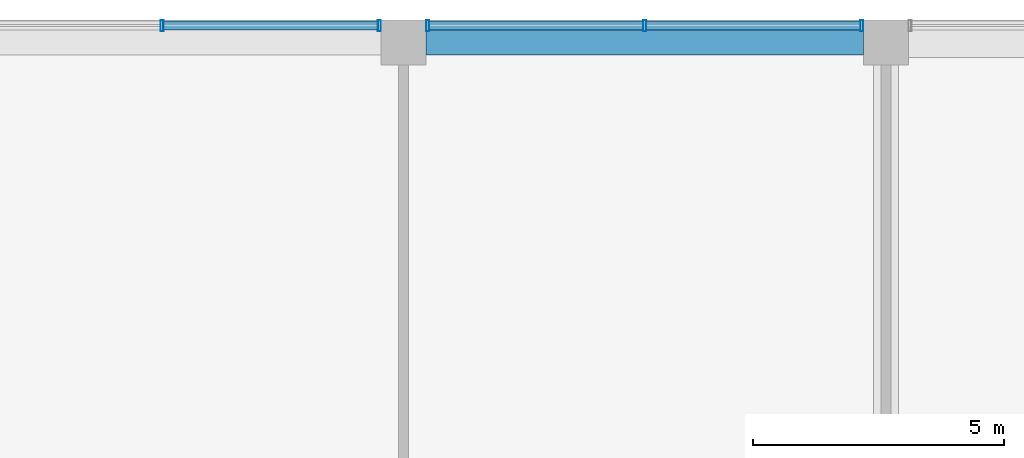
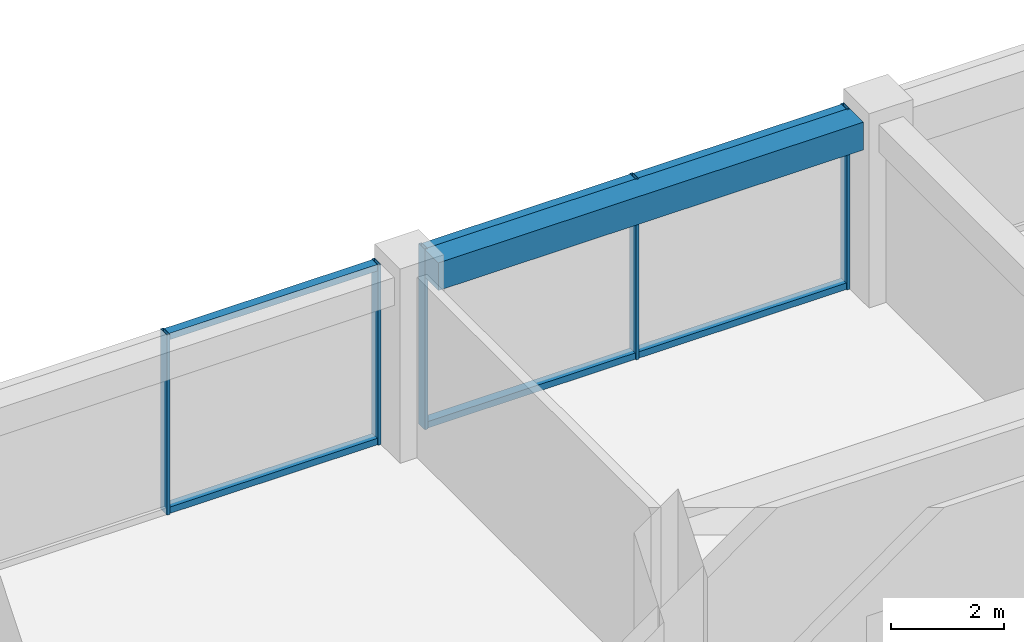
# One storey, part 24 of 38: 11 members, 1 beam, 2 elements without a shape of their own.
"""IFC4 building model written with IfcOpenShell, lengths in metres."""

from ifc_helpers import new_model, si_unit, direction, frame, origin, origin_2d, place, context, subcontext, project, spatial, rectangle, hollow_rectangle, extrude, material, layer, layer_set, material_profile, profile_set, type_object, element, aggregate, save


model = new_model("IFC4")

# Units and contexts
model_context = context("Model", 3, precision=1e-05, world=origin(), true_north=direction((0.0, 1.0)))
body_context = subcontext(model_context, "Body", "Model", "MODEL_VIEW")
ifc_project = project(units=[si_unit("LENGTHUNIT", "METRE"), si_unit("AREAUNIT", "SQUARE_METRE"), si_unit("VOLUMEUNIT", "CUBIC_METRE"), si_unit("PLANEANGLEUNIT", "RADIAN"), si_unit("MASSUNIT", "GRAM", prefix="KILO")], contexts=[model_context])

# Site, building, storey
site_placement = place(None, origin())
site = spatial("IfcSite", under=ifc_project, at=site_placement, CompositionType="ELEMENT")
building_placement = place(site_placement, origin())
building = spatial("IfcBuilding", under=site, at=building_placement, Name="Nzadi Deep Aquarium and Research Tower", CompositionType="ELEMENT")
storey_placement = place(building_placement, frame((0.0, 0.0, 52.89990234375)))
storey = spatial("IfcBuildingStorey", under=building, at=storey_placement, Name="L10", CompositionType="ELEMENT", Elevation=52.89990234375)

# Curtain wall, members
ifc_material_1 = material(Name="Aluminium unitised frame deep", Category="aluminium")
ifc_layer = layer(ifc_material_1, 0.22509765625)
ifc_layer_set = layer_set([ifc_layer], Name="Aluminium unitised frame deep")
curtain_wall_type = type_object("IfcCurtainWallType", Name="Curtain wall Unitised Deep 225", PredefinedType="NOTDEFINED", material=ifc_layer_set)
curtain_wall_1_placement = place(storey_placement, origin())
curtain_wall_1 = element("IfcCurtainWall", 1, at=curtain_wall_1_placement, inside=storey, type_object=curtain_wall_type, Name="Unitised curtain wall blade B north L10", PredefinedType="NOTDEFINED")
ifc_material_2 = material(Name="Aluminium unitised frame deep", Category="aluminium")
ifc_material_profile_1 = material_profile(ifc_material_2, hollow_rectangle(XDim=0.22509765625, YDim=0.06005859375, WallThickness=0.0048828125, at=origin_2d()))
ifc_profile_set_1 = profile_set([ifc_material_profile_1], Name="Aluminium unitised frame deep")
member_type_1 = type_object("IfcMemberType", Name="Mullion 60x225 Unitised Deep", PredefinedType="MULLION", material=ifc_profile_set_1)
member_1_placement = place(storey_placement, frame((33.60009765625, 46.33740234375, 0.0), z_axis=(0.0, 0.0, 1.0), x_axis=(0.0, 1.0, 0.0)))
member_1 = element("IfcMember", 2, at=member_1_placement, type_object=member_type_1, Name="CW137 mullion 2", PredefinedType="MULLION", context=body_context, shape_type="SweptSolid", body=[
    extrude(hollow_rectangle(XDim=0.22509765625, YDim=0.06005859375, WallThickness=0.0048828125, at=origin_2d()), origin(), (0.0, 0.0, 1.0), 3.900146484375),
])
member_2_placement = place(storey_placement, frame((37.919921875, 46.33740234375, 0.0), z_axis=(0.0, 0.0, 1.0), x_axis=(0.0, 1.0, 0.0)))
member_2 = element("IfcMember", 3, at=member_2_placement, type_object=member_type_1, Name="CW137 mullion 3", PredefinedType="MULLION", context=body_context, shape_type="SweptSolid", body=[
    extrude(hollow_rectangle(XDim=0.22509765625, YDim=0.06005859375, WallThickness=0.0048828125, at=origin_2d()), origin(), (0.0, 0.0, 1.0), 3.900146484375),
])

curtain_wall_2_placement = place(storey_placement, origin())
curtain_wall_2 = element("IfcCurtainWall", 4, at=curtain_wall_2_placement, inside=storey, type_object=curtain_wall_type, Name="Unitised curtain wall blade B north L10", PredefinedType="NOTDEFINED")
member_3_placement = place(storey_placement, frame((38.8798828125, 46.33740234375, 0.0), z_axis=(0.0, 0.0, 1.0), x_axis=(0.0, 1.0, 0.0)))
member_3 = element("IfcMember", 5, at=member_3_placement, type_object=member_type_1, Name="CW138 mullion 1", PredefinedType="MULLION", context=body_context, shape_type="SweptSolid", body=[
    extrude(hollow_rectangle(XDim=0.22509765625, YDim=0.06005859375, WallThickness=0.0048828125, at=origin_2d()), origin(), (0.0, 0.0, 1.0), 3.900146484375),
])
member_4_placement = place(storey_placement, frame((43.199951171875, 46.33740234375, 0.0), z_axis=(0.0, 0.0, 1.0), x_axis=(0.0, 1.0, 0.0)))
member_4 = element("IfcMember", 6, at=member_4_placement, type_object=member_type_1, Name="CW138 mullion 2", PredefinedType="MULLION", context=body_context, shape_type="SweptSolid", body=[
    extrude(hollow_rectangle(XDim=0.22509765625, YDim=0.06005859375, WallThickness=0.0048828125, at=origin_2d()), origin(), (0.0, 0.0, 1.0), 3.900146484375),
])
member_5_placement = place(storey_placement, frame((47.52001953125, 46.33740234375, 0.0), z_axis=(0.0, 0.0, 1.0), x_axis=(0.0, 1.0, 0.0)))
member_5 = element("IfcMember", 7, at=member_5_placement, type_object=member_type_1, Name="CW138 mullion 3", PredefinedType="MULLION", context=body_context, shape_type="SweptSolid", body=[
    extrude(hollow_rectangle(XDim=0.22509765625, YDim=0.06005859375, WallThickness=0.0048828125, at=origin_2d()), origin(), (0.0, 0.0, 1.0), 3.900146484375),
])

# Beam
ifc_material_3 = material(Name="Concrete C35/45", Category="concrete")
ifc_material_profile_2 = material_profile(ifc_material_3, rectangle(XDim=0.5, YDim=0.60009765625, at=origin_2d()))
ifc_profile_set_2 = profile_set([ifc_material_profile_2], Name="Concrete C35/45")
beam_type = type_object("IfcBeamType", Name="RC 500x600", PredefinedType="BEAM", material=ifc_profile_set_2)
beam_placement = place(storey_placement, frame((38.85009765625, 46.0, 3.60009765625), z_axis=(1.0, 0.0, 0.0), x_axis=(0.0, 1.0, 0.0)))
element("IfcBeam", 8, at=beam_placement, inside=storey, type_object=beam_type, Name="B-Z1-L10-L6-5", PredefinedType="BEAM", context=body_context, shape_type="SweptSolid", body=[
    extrude(rectangle(XDim=0.5, YDim=0.60009765625, at=origin_2d()), origin(), (0.0, 0.0, 1.0), 8.699951171875),
])

# Member
ifc_material_4 = material(Name="Aluminium unitised frame deep", Category="aluminium")
ifc_material_profile_3 = material_profile(ifc_material_4, hollow_rectangle(XDim=0.179931640625, YDim=0.139892578125, WallThickness=0.0048828125, at=origin_2d()))
ifc_profile_set_3 = profile_set([ifc_material_profile_3], Name="Aluminium unitised frame deep")
member_type_2 = type_object("IfcMemberType", Name="Transom 140x180 Unitised Deep", PredefinedType="MULLION", material=ifc_profile_set_3)
member_6_placement = place(storey_placement, frame((33.6298828125, 46.33740234375, 0.070068359375), z_axis=(1.0, 0.0, 0.0), x_axis=(0.0, 1.0, 0.0)))
member_6 = element("IfcMember", 9, at=member_6_placement, type_object=member_type_2, Name="CW137 transom 2.1", PredefinedType="MULLION", context=body_context, shape_type="SweptSolid", body=[
    extrude(hollow_rectangle(XDim=0.179931640625, YDim=0.139892578125, WallThickness=0.0048828125, at=origin_2d()), origin(), (0.0, 0.0, 1.0), 4.260009765625),
])

member_7_placement = place(storey_placement, frame((33.6298828125, 46.33740234375, 3.830078125), z_axis=(1.0, 0.0, 0.0), x_axis=(0.0, 1.0, 0.0)))
member_7 = element("IfcMember", 10, at=member_7_placement, type_object=member_type_2, Name="CW137 transom 2.2", PredefinedType="MULLION", context=body_context, shape_type="SweptSolid", body=[
    extrude(hollow_rectangle(XDim=0.179931640625, YDim=0.139892578125, WallThickness=0.0048828125, at=origin_2d()), origin(), (0.0, 0.0, 1.0), 4.260009765625),
])

aggregate(curtain_wall_1, [member_1, member_2, member_6, member_7])

member_8_placement = place(storey_placement, frame((38.909912109375, 46.33740234375, 0.070068359375), z_axis=(1.0, 0.0, 0.0), x_axis=(0.0, 1.0, 0.0)))
member_8 = element("IfcMember", 11, at=member_8_placement, type_object=member_type_2, Name="CW138 transom 1.1", PredefinedType="MULLION", context=body_context, shape_type="SweptSolid", body=[
    extrude(hollow_rectangle(XDim=0.179931640625, YDim=0.139892578125, WallThickness=0.0048828125, at=origin_2d()), origin(), (0.0, 0.0, 1.0), 4.260009765625),
])

member_9_placement = place(storey_placement, frame((38.909912109375, 46.33740234375, 3.830078125), z_axis=(1.0, 0.0, 0.0), x_axis=(0.0, 1.0, 0.0)))
member_9 = element("IfcMember", 12, at=member_9_placement, type_object=member_type_2, Name="CW138 transom 1.2", PredefinedType="MULLION", context=body_context, shape_type="SweptSolid", body=[
    extrude(hollow_rectangle(XDim=0.179931640625, YDim=0.139892578125, WallThickness=0.0048828125, at=origin_2d()), origin(), (0.0, 0.0, 1.0), 4.260009765625),
])

member_10_placement = place(storey_placement, frame((43.22998046875, 46.33740234375, 0.070068359375), z_axis=(1.0, 0.0, 0.0), x_axis=(0.0, 1.0, 0.0)))
member_10 = element("IfcMember", 13, at=member_10_placement, type_object=member_type_2, Name="CW138 transom 2.1", PredefinedType="MULLION", context=body_context, shape_type="SweptSolid", body=[
    extrude(hollow_rectangle(XDim=0.179931640625, YDim=0.139892578125, WallThickness=0.0048828125, at=origin_2d()), origin(), (0.0, 0.0, 1.0), 4.260009765625),
])

member_11_placement = place(storey_placement, frame((43.22998046875, 46.33740234375, 3.830078125), z_axis=(1.0, 0.0, 0.0), x_axis=(0.0, 1.0, 0.0)))
member_11 = element("IfcMember", 14, at=member_11_placement, type_object=member_type_2, Name="CW138 transom 2.2", PredefinedType="MULLION", context=body_context, shape_type="SweptSolid", body=[
    extrude(hollow_rectangle(XDim=0.179931640625, YDim=0.139892578125, WallThickness=0.0048828125, at=origin_2d()), origin(), (0.0, 0.0, 1.0), 4.260009765625),
])

aggregate(curtain_wall_2, [member_3, member_4, member_5, member_8, member_9, member_10, member_11])

save(model, "model.ifc")
